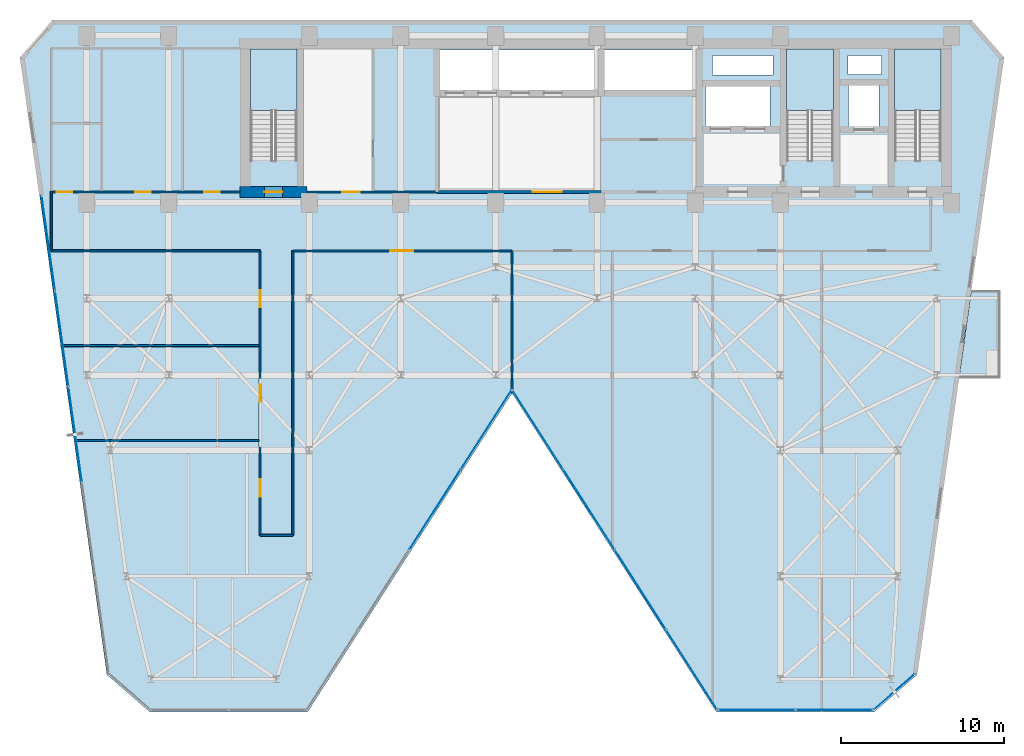
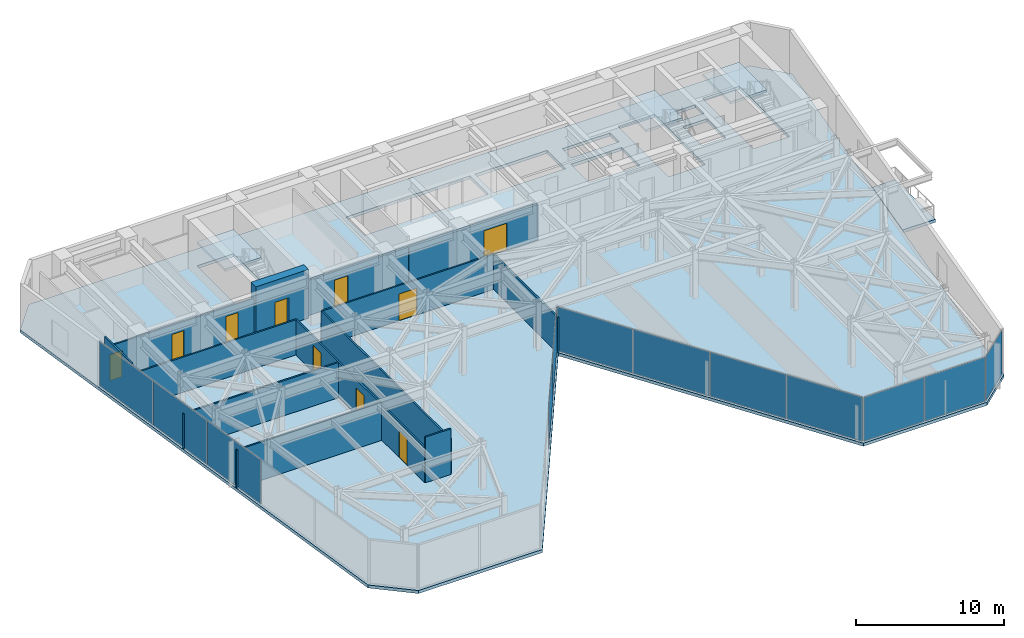
# One storey, part 21 of 26: 13 walls, 12 plates, 10 doors, 5 slabs, 10 openings, 8 elements without a shape of their own.
"""IFC4 building model written with IfcOpenShell, lengths in metres."""

from ifc_helpers import new_model, si_unit, direction, frame, frame_2d, origin, origin_2d, place, context, subcontext, project, spatial, polyline, rectangle, outline, extrude, material, layer, layer_set, type_object, element, fill, aggregate, save


model = new_model("IFC4")

# Units and contexts
model_context = context("Model", 3, precision=1e-05, world=origin(), true_north=direction((0.0, 1.0)))
body_context = subcontext(model_context, "Body", "Model", "MODEL_VIEW")
ifc_project = project(units=[si_unit("LENGTHUNIT", "METRE"), si_unit("AREAUNIT", "SQUARE_METRE"), si_unit("VOLUMEUNIT", "CUBIC_METRE"), si_unit("PLANEANGLEUNIT", "RADIAN"), si_unit("MASSUNIT", "GRAM", prefix="KILO")], contexts=[model_context])

# Site, building, storey
site_placement = place(None, origin())
site = spatial("IfcSite", under=ifc_project, at=site_placement, CompositionType="ELEMENT")
building_placement = place(site_placement, origin())
building = spatial("IfcBuilding", under=site, at=building_placement, Name="Kravanh Interchange Tower", CompositionType="ELEMENT")
storey_placement = place(building_placement, frame((0.0, 0.0, 140.0)))
storey = spatial("IfcBuildingStorey", under=building, at=storey_placement, Name="L33", CompositionType="ELEMENT", Elevation=140.0)

# Slab
ifc_material_1 = material(Name="Concrete C50/60", Category="concrete")
ifc_layer_1 = layer(ifc_material_1, 0.25)
ifc_layer_set_1 = layer_set([ifc_layer_1], Name="Composite Floor Slab Concrete C50/60 250mm")
slab_type_1 = type_object("IfcSlabType", Name="Composite Floor Slab Concrete C50/60 250mm", PredefinedType="FLOOR", material=ifc_layer_set_1)
slab_1_placement = place(storey_placement, frame((0.0, 0.0, -0.25)))
element("IfcSlab", 1, at=slab_1_placement, inside=storey, type_object=slab_type_1, Name="L33 Structural Floor Slab", PredefinedType="FLOOR", context=body_context, shape_type="SweptSolid", body=[
    extrude(outline(polyline([(14.82470703125, 8.4775390625), (17.44482421875, 6.199951171875), (27.10009765625, 6.199951171875), (39.60009765625, 25.699951171875), (52.10009765625, 6.199951171875), (61.755126953125, 6.199951171875), (64.375244140625, 8.4775390625), (69.679931640625, 46.222412109375), (67.699951171875, 48.5), (11.5, 48.5), (9.52001953125, 46.222412109375), (14.82470703125, 8.4775390625)]), holes=[polyline([(65.85009765625, 39.925048828125), (65.85009765625, 46.75), (63.0, 46.75), (63.0, 39.925048828125), (65.85009765625, 39.925048828125)]), polyline([(59.25, 39.925048828125), (59.25, 46.75), (56.39990234375, 46.75), (56.39990234375, 39.925048828125), (59.25, 39.925048828125)]), polyline([(26.449951171875, 39.925048828125), (26.449951171875, 46.75), (23.60009765625, 46.75), (23.60009765625, 39.925048828125), (26.449951171875, 39.925048828125)]), polyline([(35.179931640625, 44.219970703125), (44.840087890625, 44.219970703125), (44.840087890625, 46.699951171875), (35.179931640625, 46.699951171875), (35.179931640625, 44.219970703125)]), polyline([(45.239990234375, 44.219970703125), (50.840087890625, 44.219970703125), (50.840087890625, 46.699951171875), (45.239990234375, 46.699951171875), (45.239990234375, 44.219970703125)]), polyline([(51.419921875, 42.02001953125), (55.3798828125, 42.02001953125), (55.3798828125, 44.47998046875), (51.419921875, 44.47998046875), (51.419921875, 42.02001953125)]), polyline([(60.179931640625, 41.97998046875), (62.06005859375, 41.97998046875), (62.06005859375, 44.52001953125), (60.179931640625, 44.52001953125), (60.179931640625, 41.97998046875)]), polyline([(60.14990234375, 45.199951171875), (62.199951171875, 45.199951171875), (62.199951171875, 46.35009765625), (60.14990234375, 46.35009765625), (60.14990234375, 45.199951171875)]), polyline([(51.85009765625, 45.14990234375), (55.550048828125, 45.14990234375), (55.550048828125, 46.35009765625), (51.85009765625, 46.35009765625), (51.85009765625, 45.14990234375)])]), origin(), (0.0, 0.0, 1.0), 0.25),
])

# Stair, slab
ifc_material_2 = material(Name="Concrete C50/60", Category="concrete")
stair_type = type_object("IfcStairType", Name="Core Fire Exit Dogleg Stair Concrete C50/60", PredefinedType="HALF_TURN_STAIR", material=ifc_material_2)
stair_1_placement = place(storey_placement, origin())
stair_1 = element("IfcStair", 2, at=stair_1_placement, inside=storey, type_object=stair_type, Name="L33 Exit Stair ST1", PredefinedType="HALF_TURN_STAIR")
ifc_material_3 = material(Name="Concrete C50/60", Category="concrete")
ifc_layer_2 = layer(ifc_material_3, 0.199951171875)
ifc_layer_set_2 = layer_set([ifc_layer_2], Name="Concrete C50/60 Stair Half-Landing Slab 200mm")
slab_type_2 = type_object("IfcSlabType", Name="Concrete C50/60 Stair Half-Landing Slab 200mm", PredefinedType="LANDING", material=ifc_layer_set_2)
slab_2_placement = place(storey_placement, frame((0.0, 0.0, 1.800048828125)))
slab_2 = element("IfcSlab", 3, at=slab_2_placement, type_object=slab_type_2, Name="ST1 landing 1", PredefinedType="LANDING", context=body_context, shape_type="SweptSolid", body=[
    extrude(outline(polyline([(65.85009765625, 42.97998046875), (65.85009765625, 46.75), (63.0, 46.75), (63.0, 42.97998046875), (65.85009765625, 42.97998046875)])), origin(), (0.0, 0.0, 1.0), 0.199951171875),
])
aggregate(stair_1, [slab_2])

stair_2_placement = place(storey_placement, origin())
stair_2 = element("IfcStair", 4, at=stair_2_placement, inside=storey, type_object=stair_type, Name="L33 Exit Stair ST2", PredefinedType="HALF_TURN_STAIR")
slab_3_placement = place(storey_placement, frame((0.0, 0.0, 1.800048828125)))
slab_3 = element("IfcSlab", 5, at=slab_3_placement, type_object=slab_type_2, Name="ST2 landing 1", PredefinedType="LANDING", context=body_context, shape_type="SweptSolid", body=[
    extrude(outline(polyline([(59.25, 42.97998046875), (59.25, 46.75), (56.39990234375, 46.75), (56.39990234375, 42.97998046875), (59.25, 42.97998046875)])), origin(), (0.0, 0.0, 1.0), 0.199951171875),
])
aggregate(stair_2, [slab_3])

stair_3_placement = place(storey_placement, origin())
stair_3 = element("IfcStair", 6, at=stair_3_placement, inside=storey, type_object=stair_type, Name="L33 Exit Stair ST3", PredefinedType="HALF_TURN_STAIR")
slab_4_placement = place(storey_placement, frame((0.0, 0.0, 1.800048828125)))
slab_4 = element("IfcSlab", 7, at=slab_4_placement, type_object=slab_type_2, Name="ST3 landing 1", PredefinedType="LANDING", context=body_context, shape_type="SweptSolid", body=[
    extrude(outline(polyline([(26.449951171875, 42.97998046875), (26.449951171875, 46.75), (23.60009765625, 46.75), (23.60009765625, 42.97998046875), (26.449951171875, 42.97998046875)])), origin(), (0.0, 0.0, 1.0), 0.199951171875),
])
aggregate(stair_3, [slab_4])

# Slab
ifc_material_4 = material(Name="Concrete C50/60", Category="concrete")
ifc_layer_3 = layer(ifc_material_4, 0.199951171875)
ifc_layer_set_3 = layer_set([ifc_layer_3], Name="Planted Tree Balcony Slab Concrete C50/60 200mm")
slab_type_3 = type_object("IfcSlabType", Name="Planted Tree Balcony Slab Concrete C50/60 200mm", PredefinedType="USERDEFINED", material=ifc_layer_set_3)
slab_5_placement = place(storey_placement, frame((0.0, 0.0, -0.25)))
element("IfcSlab", 8, at=slab_5_placement, inside=storey, type_object=slab_type_3, Name="L33 East Tree Planter Balcony Slab", ObjectType="BALCONY", PredefinedType="USERDEFINED", context=body_context, shape_type="SweptSolid", body=[
    extrude(outline(polyline([(69.489990234375, 31.989990234375), (69.489990234375, 26.590087890625), (66.935791015625, 26.590087890625), (67.69482421875, 31.989990234375), (69.489990234375, 31.989990234375)])), origin(), (0.0, 0.0, 1.0), 0.25),
])

# Curtain wall, plates
ifc_material_5 = material(Name="Anodised Bronze Aluminium", Category="aluminium")
ifc_layer_4 = layer(ifc_material_5, 0.179931640625)
ifc_layer_set_4 = layer_set([ifc_layer_4], Name="Unitised Curtain Wall System CW-Z2 Mid Office")
curtain_wall_type = type_object("IfcCurtainWallType", Name="Unitised Curtain Wall System CW-Z2 Mid Office", PredefinedType="NOTDEFINED", material=ifc_layer_set_4)
curtain_wall_1_placement = place(storey_placement, origin())
curtain_wall_1 = element("IfcCurtainWall", 9, at=curtain_wall_1_placement, inside=storey, type_object=curtain_wall_type, Name="L33 Unitised Curtain Wall CW-L33-01", PredefinedType="NOTDEFINED")
ifc_material_6 = material(Name="Low-E Laminated Architectural Glass", Category="glass")
ifc_layer_5 = layer(ifc_material_6, 0.02587890625)
ifc_layer_set_5 = layer_set([ifc_layer_5], Name="Solar-Control Double Glazing 26mm")
plate_type = type_object("IfcPlateType", Name="Solar-Control Double Glazing 26mm", PredefinedType="CURTAIN_PANEL", material=ifc_layer_set_5)
plate_1_placement = place(storey_placement, frame((12.881103515625, 23.16943359375, 0.06005859375), z_axis=(0.0, 0.0, 1.0), x_axis=(-0.13917285118, 0.990268103846, 0.0)))
plate_1 = element("IfcPlate", 10, at=plate_1_placement, type_object=plate_type, Name="CW-Z2 panel 3.1", PredefinedType="CURTAIN_PANEL", context=body_context, shape_type="SweptSolid", body=[
    extrude(rectangle(XDim=5.849853515625, YDim=0.02587890625, at=origin_2d()), origin(), (0.0, 0.0, 1.0), 3.6298828125),
])
plate_2_placement = place(storey_placement, frame((12.058837890625, 29.021728515625, 0.06005859375), z_axis=(0.0, 0.0, 1.0), x_axis=(-0.13917285118, 0.990268103846, 0.0)))
plate_2 = element("IfcPlate", 11, at=plate_2_placement, type_object=plate_type, Name="CW-Z2 panel 4.1", PredefinedType="CURTAIN_PANEL", context=body_context, shape_type="SweptSolid", body=[
    extrude(rectangle(XDim=5.849853515625, YDim=0.02587890625, at=origin_2d()), origin(), (0.0, 0.0, 1.0), 3.6298828125),
])
plate_3_placement = place(storey_placement, frame((11.23828125, 34.859130859375, 0.06005859375), z_axis=(0.0, 0.0, 1.0), x_axis=(-0.13917285118, 0.990268103846, 0.0)))
plate_3 = element("IfcPlate", 12, at=plate_3_placement, type_object=plate_type, Name="CW-Z2 panel 5.1", PredefinedType="CURTAIN_PANEL", context=body_context, shape_type="SweptSolid", body=[
    extrude(rectangle(XDim=5.81982421875, YDim=0.02587890625, at=origin_2d()), origin(), (0.0, 0.0, 1.0), 3.6298828125),
])
aggregate(curtain_wall_1, [plate_1, plate_2, plate_3])

# Curtain wall, plate
curtain_wall_2_placement = place(storey_placement, origin())
curtain_wall_2 = element("IfcCurtainWall", 13, at=curtain_wall_2_placement, inside=storey, type_object=curtain_wall_type, Name="L33 Unitised Curtain Wall CW-L33-02", PredefinedType="NOTDEFINED")
plate_4_placement = place(storey_placement, frame((62.986328125, 7.429443359375, 0.06005859375), z_axis=(0.0, 0.0, 1.0), x_axis=(-0.754719458103, -0.656047665617, 0.0)))
plate_4 = element("IfcPlate", 14, at=plate_4_placement, type_object=plate_type, Name="CW-Z2 panel 1.1", PredefinedType="CURTAIN_PANEL", context=body_context, shape_type="SweptSolid", body=[
    extrude(rectangle(XDim=3.261962890625, YDim=0.02587890625, at=origin_2d()), origin(), (0.0, 0.0, 1.0), 3.6298828125),
])
aggregate(curtain_wall_2, [plate_4])

# Curtain wall, plates
curtain_wall_3_placement = place(storey_placement, origin())
curtain_wall_3 = element("IfcCurtainWall", 15, at=curtain_wall_3_placement, inside=storey, type_object=curtain_wall_type, Name="L33 Unitised Curtain Wall CW-L33-03", PredefinedType="NOTDEFINED")
plate_5_placement = place(storey_placement, frame((59.30908203125, 6.320068359375, 0.06005859375), z_axis=(0.0, 0.0, 1.0), x_axis=(-1.0, 0.0, 0.0)))
plate_5 = element("IfcPlate", 16, at=plate_5_placement, type_object=plate_type, Name="CW-Z2 panel 1.1", PredefinedType="CURTAIN_PANEL", context=body_context, shape_type="SweptSolid", body=[
    extrude(rectangle(XDim=4.682373046875, YDim=0.02587890625, at=origin_2d()), origin(), (0.0, 0.0, 1.0), 3.6298828125),
])
plate_6_placement = place(storey_placement, frame((54.566650390625, 6.320068359375, 0.06005859375), z_axis=(0.0, 0.0, 1.0), x_axis=(-1.0, 0.0, 0.0)))
plate_6 = element("IfcPlate", 17, at=plate_6_placement, type_object=plate_type, Name="CW-Z2 panel 2.1", PredefinedType="CURTAIN_PANEL", context=body_context, shape_type="SweptSolid", body=[
    extrude(rectangle(XDim=4.682373046875, YDim=0.02587890625, at=origin_2d()), origin(), (0.0, 0.0, 1.0), 3.6298828125),
])
aggregate(curtain_wall_3, [plate_5, plate_6])

curtain_wall_4_placement = place(storey_placement, origin())
curtain_wall_4 = element("IfcCurtainWall", 18, at=curtain_wall_4_placement, inside=storey, type_object=curtain_wall_type, Name="L33 Unitised Curtain Wall CW-L33-04", PredefinedType="NOTDEFINED")
plate_7_placement = place(storey_placement, frame((50.5869140625, 8.782958984375, 0.06005859375), z_axis=(0.0, 0.0, 1.0), x_axis=(-0.539664865919, 0.841879939476, 0.0)))
plate_7 = element("IfcPlate", 19, at=plate_7_placement, type_object=plate_type, Name="CW-Z2 panel 1.1", PredefinedType="CURTAIN_PANEL", context=body_context, shape_type="SweptSolid", body=[
    extrude(rectangle(XDim=5.73095703125, YDim=0.02587890625, at=origin_2d()), origin(), (0.0, 0.0, 1.0), 3.6298828125),
])
plate_8_placement = place(storey_placement, frame((47.45361328125, 13.6708984375, 0.06005859375), z_axis=(0.0, 0.0, 1.0), x_axis=(-0.539664865919, 0.841879939476, 0.0)))
plate_8 = element("IfcPlate", 20, at=plate_8_placement, type_object=plate_type, Name="CW-Z2 panel 2.1", PredefinedType="CURTAIN_PANEL", context=body_context, shape_type="SweptSolid", body=[
    extrude(rectangle(XDim=5.760986328125, YDim=0.02587890625, at=origin_2d()), origin(), (0.0, 0.0, 1.0), 3.6298828125),
])
plate_9_placement = place(storey_placement, frame((44.31201171875, 18.571533203125, 0.06005859375), z_axis=(0.0, 0.0, 1.0), x_axis=(-0.539664865919, 0.841879939476, 0.0)))
plate_9 = element("IfcPlate", 21, at=plate_9_placement, type_object=plate_type, Name="CW-Z2 panel 3.1", PredefinedType="CURTAIN_PANEL", context=body_context, shape_type="SweptSolid", body=[
    extrude(rectangle(XDim=5.760986328125, YDim=0.02587890625, at=origin_2d()), origin(), (0.0, 0.0, 1.0), 3.6298828125),
])
plate_10_placement = place(storey_placement, frame((41.1787109375, 23.45947265625, 0.06005859375), z_axis=(0.0, 0.0, 1.0), x_axis=(-0.539664865919, 0.841879939476, 0.0)))
plate_10 = element("IfcPlate", 22, at=plate_10_placement, type_object=plate_type, Name="CW-Z2 panel 4.1", PredefinedType="CURTAIN_PANEL", context=body_context, shape_type="SweptSolid", body=[
    extrude(rectangle(XDim=5.73095703125, YDim=0.02587890625, at=origin_2d()), origin(), (0.0, 0.0, 1.0), 3.6298828125),
])
aggregate(curtain_wall_4, [plate_7, plate_8, plate_9, plate_10])

curtain_wall_5_placement = place(storey_placement, origin())
curtain_wall_5 = element("IfcCurtainWall", 23, at=curtain_wall_5_placement, inside=storey, type_object=curtain_wall_type, Name="L33 Unitised Curtain Wall CW-L33-05", PredefinedType="NOTDEFINED")
plate_11_placement = place(storey_placement, frame((38.021240234375, 23.45947265625, 0.06005859375), z_axis=(0.0, 0.0, 1.0), x_axis=(-0.539664865919, -0.841879939476, 0.0)))
plate_11 = element("IfcPlate", 24, at=plate_11_placement, type_object=plate_type, Name="CW-Z2 panel 1.1", PredefinedType="CURTAIN_PANEL", context=body_context, shape_type="SweptSolid", body=[
    extrude(rectangle(XDim=5.73095703125, YDim=0.02587890625, at=origin_2d()), origin(), (0.0, 0.0, 1.0), 3.6298828125),
])
plate_12_placement = place(storey_placement, frame((34.887939453125, 18.571533203125, 0.06005859375), z_axis=(0.0, 0.0, 1.0), x_axis=(-0.539664865919, -0.841879939476, 0.0)))
plate_12 = element("IfcPlate", 25, at=plate_12_placement, type_object=plate_type, Name="CW-Z2 panel 2.1", PredefinedType="CURTAIN_PANEL", context=body_context, shape_type="SweptSolid", body=[
    extrude(rectangle(XDim=5.760986328125, YDim=0.02587890625, at=origin_2d()), origin(), (0.0, 0.0, 1.0), 3.6298828125),
])
aggregate(curtain_wall_5, [plate_11, plate_12])

# Wall, openings, doors
ifc_material_7 = material(Name="Double Acoustic Gypsum Board and Mineral Wool")
ifc_layer_6 = layer(ifc_material_7, 0.1201171875)
ifc_layer_set_6 = layer_set([ifc_layer_6], Name="Acoustic Office Drywall Partition 120mm")
wall_type_1 = type_object("IfcWallType", Name="Acoustic Office Drywall Partition 120mm", PredefinedType="PARTITIONING", material=ifc_layer_set_6)
wall_1_placement = place(storey_placement, frame((11.419921875, 38.0, 0.0), z_axis=(0.0, 0.0, 1.0), x_axis=(1.0, 0.0, 0.0)))
wall_1 = element("IfcWall", 26, at=wall_1_placement, inside=storey, type_object=wall_type_1, Name="L33 Restroom Corridor Wall 7", PredefinedType="PARTITIONING", context=body_context, shape_type="SweptSolid", body=[
    extrude(rectangle(XDim=11.530029296875, YDim=0.1201171875, at=frame_2d((5.76513671875, 0.0))), origin(), (0.0, 0.0, 1.0), 2.89404296875),
])
opening_1_placement = place(wall_1_placement, frame((0.3427734375, 0.0, 0.0)))
opening_1 = element("IfcOpeningElement", 27, at=opening_1_placement, cuts=wall_1, Name="Opening D-95", PredefinedType="OPENING", context=body_context, shape_type="SweptSolid", body=[
    extrude(rectangle(XDim=0.949951171875, YDim=2.14990234375, at=frame_2d((0.47509765625, 1.074951171875))), frame((0.0, 0.070068359375, 0.0), z_axis=(0.0, -1.0, 0.0), x_axis=(1.0, 0.0, 0.0)), (0.0, 0.0, 1.0), 0.14013671875),
])
opening_2_placement = place(wall_1_placement, frame((5.130126953125, 0.0, 0.0)))
opening_2 = element("IfcOpeningElement", 28, at=opening_2_placement, cuts=wall_1, Name="Opening D-95", PredefinedType="OPENING", context=body_context, shape_type="SweptSolid", body=[
    extrude(rectangle(XDim=0.949951171875, YDim=2.14990234375, at=frame_2d((0.47509765625, 1.074951171875))), frame((0.0, 0.070068359375, 0.0), z_axis=(0.0, -1.0, 0.0), x_axis=(1.0, 0.0, 0.0)), (0.0, 0.0, 1.0), 0.14013671875),
])
opening_3_placement = place(wall_1_placement, frame((9.344970703125, 0.0, 0.0)))
opening_3 = element("IfcOpeningElement", 29, at=opening_3_placement, cuts=wall_1, Name="Opening D-95", PredefinedType="OPENING", context=body_context, shape_type="SweptSolid", body=[
    extrude(rectangle(XDim=0.949951171875, YDim=2.14990234375, at=frame_2d((0.47509765625, 1.074951171875))), frame((0.0, 0.070068359375, 0.0), z_axis=(0.0, -1.0, 0.0), x_axis=(1.0, 0.0, 0.0)), (0.0, 0.0, 1.0), 0.14013671875),
])
ifc_material_8 = material(Name="Laminate Solid-Core Timber", Category="wood")
door_type_1 = type_object("IfcDoorType", Name="Accessible Restroom Door 950x2150", OperationType="NOTDEFINED", PredefinedType="DOOR", material=ifc_material_8)
door_1_placement = place(opening_1_placement, origin())
door_1 = element("IfcDoor", 30, at=door_1_placement, inside=storey, type_object=door_type_1, Name="L33 Accessible WC Door", OperationType="SINGLE_SWING_RIGHT", OverallHeight=2.14990234375, OverallWidth=0.949951171875, PredefinedType="DOOR", context=body_context, shape_type="SweptSolid", body=[
    extrude(rectangle(XDim=0.949951171875, YDim=2.14990234375, at=frame_2d((0.47509765625, 1.074951171875))), frame((0.0, 0.02490234375, 0.0), z_axis=(0.0, -1.0, 0.0), x_axis=(1.0, 0.0, 0.0)), (0.0, 0.0, 1.0), 0.050048828125),
])
fill(opening_1, door_1)
door_2_placement = place(opening_2_placement, origin())
door_2 = element("IfcDoor", 31, at=door_2_placement, inside=storey, type_object=door_type_1, Name="L33 Female WC Door", OperationType="SINGLE_SWING_LEFT", OverallHeight=2.14990234375, OverallWidth=0.949951171875, PredefinedType="DOOR", context=body_context, shape_type="SweptSolid", body=[
    extrude(rectangle(XDim=0.949951171875, YDim=2.14990234375, at=frame_2d((0.47509765625, 1.074951171875))), frame((0.0, 0.02490234375, 0.0), z_axis=(0.0, -1.0, 0.0), x_axis=(1.0, 0.0, 0.0)), (0.0, 0.0, 1.0), 0.050048828125),
])
fill(opening_2, door_2)
door_3_placement = place(opening_3_placement, origin())
door_3 = element("IfcDoor", 32, at=door_3_placement, inside=storey, type_object=door_type_1, Name="L33 Male WC Door", OperationType="SINGLE_SWING_RIGHT", OverallHeight=2.14990234375, OverallWidth=0.949951171875, PredefinedType="DOOR", context=body_context, shape_type="SweptSolid", body=[
    extrude(rectangle(XDim=0.949951171875, YDim=2.14990234375, at=frame_2d((0.47509765625, 1.074951171875))), frame((0.0, 0.02490234375, 0.0), z_axis=(0.0, -1.0, 0.0), x_axis=(1.0, 0.0, 0.0)), (0.0, 0.0, 1.0), 0.050048828125),
])
fill(opening_3, door_3)

# Wall
wall_2_placement = place(storey_placement, frame((11.419921875, 34.39990234375, 0.0), z_axis=(0.0, 0.0, 1.0), x_axis=(1.0, 0.0, 0.0)))
element("IfcWall", 33, at=wall_2_placement, inside=storey, type_object=wall_type_1, Name="L33 Interior Partition 13", PredefinedType="PARTITIONING", context=body_context, shape_type="SweptSolid", body=[
    extrude(rectangle(XDim=12.780029296875, YDim=0.1201171875, at=frame_2d((6.39013671875, 0.0))), origin(), (0.0, 0.0, 1.0), 2.89404296875),
])

# Wall, opening, door
wall_3_placement = place(storey_placement, frame((26.199951171875, 34.39990234375, 0.0), z_axis=(0.0, 0.0, 1.0), x_axis=(1.0, 0.0, 0.0)))
wall_3 = element("IfcWall", 34, at=wall_3_placement, inside=storey, type_object=wall_type_1, Name="L33 Interior Partition 14", PredefinedType="PARTITIONING", context=body_context, shape_type="SweptSolid", body=[
    extrude(rectangle(XDim=13.400146484375, YDim=0.1201171875, at=frame_2d((6.7001953125, 0.0))), origin(), (0.0, 0.0, 1.0), 2.89404296875),
])
opening_4_placement = place(wall_3_placement, frame((5.959716796875, 0.0, 0.0)))
opening_4 = element("IfcOpeningElement", 35, at=opening_4_placement, cuts=wall_3, Name="Opening DBL-140", PredefinedType="OPENING", context=body_context, shape_type="SweptSolid", body=[
    extrude(rectangle(XDim=1.39990234375, YDim=2.199951171875, at=frame_2d((0.699951171875, 1.10009765625))), frame((0.0, 0.070068359375, 0.0), z_axis=(0.0, -1.0, 0.0), x_axis=(1.0, 0.0, 0.0)), (0.0, 0.0, 1.0), 0.14013671875),
])
ifc_material_9 = material(Name="Acoustic Bronze-Framed Glass", Category="glass")
door_type_2 = type_object("IfcDoorType", Name="Hospitality Lounge Double Door 1400x2200", OperationType="DOUBLE_DOOR_SINGLE_SWING", PredefinedType="DOOR", material=ifc_material_9)
door_4_placement = place(opening_4_placement, origin())
door_4 = element("IfcDoor", 36, at=door_4_placement, inside=storey, type_object=door_type_2, Name="L33 Central Townhall Commons Lounge Door", OperationType="DOUBLE_DOOR_SINGLE_SWING", OverallHeight=2.199951171875, OverallWidth=1.39990234375, PredefinedType="DOOR", context=body_context, shape_type="SweptSolid", body=[
    extrude(rectangle(XDim=1.39990234375, YDim=2.199951171875, at=frame_2d((0.699951171875, 1.10009765625))), frame((0.0, 0.02490234375, 0.0), z_axis=(0.0, -1.0, 0.0), x_axis=(1.0, 0.0, 0.0)), (0.0, 0.0, 1.0), 0.050048828125),
])
fill(opening_4, door_4)

# Wall
wall_4_placement = place(storey_placement, frame((11.419921875, 34.39990234375, 0.0), z_axis=(0.0, 0.0, 1.0), x_axis=(0.0, 1.0, 0.0)))
element("IfcWall", 37, at=wall_4_placement, inside=storey, type_object=wall_type_1, Name="L33 Interior Partition 16", PredefinedType="PARTITIONING", context=body_context, shape_type="SweptSolid", body=[
    extrude(rectangle(XDim=3.650146484375, YDim=0.1201171875, at=frame_2d((1.8251953125, 0.0))), origin(), (0.0, 0.0, 1.0), 3.75),
])

# Wall, openings, doors
wall_5_placement = place(storey_placement, frame((24.199951171875, 17.0, 0.0), z_axis=(0.0, 0.0, 1.0), x_axis=(0.0, 1.0, 0.0)))
wall_5 = element("IfcWall", 38, at=wall_5_placement, inside=storey, type_object=wall_type_1, Name="L33 Interior Partition 18", PredefinedType="PARTITIONING", context=body_context, shape_type="SweptSolid", body=[
    extrude(rectangle(XDim=17.39990234375, YDim=0.1201171875, at=frame_2d((8.699951171875, 0.0))), origin(), (0.0, 0.0, 1.0), 2.89404296875),
])
opening_5_placement = place(wall_5_placement, frame((2.375, 0.0, 0.0)))
opening_5 = element("IfcOpeningElement", 39, at=opening_5_placement, cuts=wall_5, Name="Opening D-105", PredefinedType="OPENING", context=body_context, shape_type="SweptSolid", body=[
    extrude(rectangle(XDim=1.050048828125, YDim=2.199951171875, at=frame_2d((0.52490234375, 1.10009765625))), frame((0.0, 0.070068359375, 0.0), z_axis=(0.0, -1.0, 0.0), x_axis=(1.0, 0.0, 0.0)), (0.0, 0.0, 1.0), 0.14013671875),
])
opening_6_placement = place(wall_5_placement, frame((8.175048828125, 0.0, 0.0)))
opening_6 = element("IfcOpeningElement", 40, at=opening_6_placement, cuts=wall_5, Name="Opening D-105", PredefinedType="OPENING", context=body_context, shape_type="SweptSolid", body=[
    extrude(rectangle(XDim=1.050048828125, YDim=2.199951171875, at=frame_2d((0.52490234375, 1.10009765625))), frame((0.0, 0.070068359375, 0.0), z_axis=(0.0, -1.0, 0.0), x_axis=(1.0, 0.0, 0.0)), (0.0, 0.0, 1.0), 0.14013671875),
])
opening_7_placement = place(wall_5_placement, frame((13.949951171875, 0.0, 0.0)))
opening_7 = element("IfcOpeningElement", 41, at=opening_7_placement, cuts=wall_5, Name="Opening D-105", PredefinedType="OPENING", context=body_context, shape_type="SweptSolid", body=[
    extrude(rectangle(XDim=1.050048828125, YDim=2.199951171875, at=frame_2d((0.52490234375, 1.10009765625))), frame((0.0, 0.070068359375, 0.0), z_axis=(0.0, -1.0, 0.0), x_axis=(1.0, 0.0, 0.0)), (0.0, 0.0, 1.0), 0.14013671875),
])
ifc_material_10 = material(Name="Acoustic Glazed Oak and Aluminium", Category="aluminium")
door_type_3 = type_object("IfcDoorType", Name="Office Workplace Door 1050x2200", OperationType="NOTDEFINED", PredefinedType="DOOR", material=ifc_material_10)
door_5_placement = place(opening_5_placement, origin())
door_5 = element("IfcDoor", 42, at=door_5_placement, inside=storey, type_object=door_type_3, Name="L33 SW Partner Office D Door", OperationType="SINGLE_SWING_LEFT", OverallHeight=2.199951171875, OverallWidth=1.050048828125, PredefinedType="DOOR", context=body_context, shape_type="SweptSolid", body=[
    extrude(rectangle(XDim=1.050048828125, YDim=2.199951171875, at=frame_2d((0.52490234375, 1.10009765625))), frame((0.0, 0.02490234375, 0.0), z_axis=(0.0, -1.0, 0.0), x_axis=(1.0, 0.0, 0.0)), (0.0, 0.0, 1.0), 0.050048828125),
])
fill(opening_5, door_5)
door_6_placement = place(opening_6_placement, origin())
door_6 = element("IfcDoor", 43, at=door_6_placement, inside=storey, type_object=door_type_3, Name="L33 West Breakout Lounge Door", OperationType="SINGLE_SWING_RIGHT", OverallHeight=2.199951171875, OverallWidth=1.050048828125, PredefinedType="DOOR", context=body_context, shape_type="SweptSolid", body=[
    extrude(rectangle(XDim=1.050048828125, YDim=2.199951171875, at=frame_2d((0.52490234375, 1.10009765625))), frame((0.0, 0.02490234375, 0.0), z_axis=(0.0, -1.0, 0.0), x_axis=(1.0, 0.0, 0.0)), (0.0, 0.0, 1.0), 0.050048828125),
])
fill(opening_6, door_6)
door_7_placement = place(opening_7_placement, origin())
door_7 = element("IfcDoor", 44, at=door_7_placement, inside=storey, type_object=door_type_3, Name="L33 Tea Kitchenette Door", OperationType="SINGLE_SWING_LEFT", OverallHeight=2.199951171875, OverallWidth=1.050048828125, PredefinedType="DOOR", context=body_context, shape_type="SweptSolid", body=[
    extrude(rectangle(XDim=1.050048828125, YDim=2.199951171875, at=frame_2d((0.52490234375, 1.10009765625))), frame((0.0, 0.02490234375, 0.0), z_axis=(0.0, -1.0, 0.0), x_axis=(1.0, 0.0, 0.0)), (0.0, 0.0, 1.0), 0.050048828125),
])
fill(opening_7, door_7)

# Walls
wall_6_placement = place(storey_placement, frame((26.199951171875, 17.0, 0.0), z_axis=(0.0, 0.0, 1.0), x_axis=(0.0, 1.0, 0.0)))
element("IfcWall", 45, at=wall_6_placement, inside=storey, type_object=wall_type_1, Name="L33 Interior Partition 19", PredefinedType="PARTITIONING", context=body_context, shape_type="SweptSolid", body=[
    extrude(rectangle(XDim=17.39990234375, YDim=0.1201171875, at=frame_2d((8.699951171875, 0.0))), origin(), (0.0, 0.0, 1.0), 2.89404296875),
])
wall_7_placement = place(storey_placement, frame((24.199951171875, 17.0, 0.0), z_axis=(0.0, 0.0, 1.0), x_axis=(1.0, 0.0, 0.0)))
element("IfcWall", 46, at=wall_7_placement, inside=storey, type_object=wall_type_1, Name="L33 Interior Partition 20", PredefinedType="PARTITIONING", context=body_context, shape_type="SweptSolid", body=[
    extrude(rectangle(XDim=2.0, YDim=0.1201171875, at=frame_2d((1.0, 0.0))), origin(), (0.0, 0.0, 1.0), 3.75),
])
wall_8_placement = place(storey_placement, frame((12.8271484375, 22.800048828125, 0.0), z_axis=(0.0, 0.0, 1.0), x_axis=(1.0, 0.0, 0.0)))
element("IfcWall", 47, at=wall_8_placement, inside=storey, type_object=wall_type_1, Name="L33 Interior Partition 21", PredefinedType="PARTITIONING", context=body_context, shape_type="SweptSolid", body=[
    extrude(rectangle(XDim=11.304931640625, YDim=0.1201171875, at=frame_2d((5.65234375, 0.0))), origin(), (0.0, 0.0, 1.0), 3.14208984375),
])
wall_9_placement = place(storey_placement, frame((12.011962890625, 28.60009765625, 0.0), z_axis=(0.0, 0.0, 1.0), x_axis=(1.0, 0.0, 0.0)))
element("IfcWall", 48, at=wall_9_placement, inside=storey, type_object=wall_type_1, Name="L33 Interior Partition 22", PredefinedType="PARTITIONING", context=body_context, shape_type="SweptSolid", body=[
    extrude(rectangle(XDim=12.1201171875, YDim=0.1201171875, at=frame_2d((6.06005859375, 0.0))), origin(), (0.0, 0.0, 1.0), 2.89404296875),
])
wall_10_placement = place(storey_placement, frame((39.60009765625, 25.727783203125, 0.0), z_axis=(0.0, 0.0, 1.0), x_axis=(0.0, 1.0, 0.0)))
element("IfcWall", 49, at=wall_10_placement, inside=storey, type_object=wall_type_1, Name="L33 Interior Partition 23", PredefinedType="PARTITIONING", context=body_context, shape_type="SweptSolid", body=[
    extrude(rectangle(XDim=8.672119140625, YDim=0.1201171875, at=frame_2d((4.3359375, 0.0))), origin(), (0.0, 0.0, 1.0), 2.89404296875),
])

# Wall, opening, door
ifc_material_11 = material(Name="Concrete C70/85", Category="concrete")
ifc_layer_7 = layer(ifc_material_11, 0.64990234375)
ifc_layer_set_7 = layer_set([ifc_layer_7], Name="Core Shear Wall Concrete C70/85 650mm")
wall_type_2 = type_object("IfcWallType", Name="Core Shear Wall Concrete C70/85 650mm", PredefinedType="SHEAR", material=ifc_layer_set_7)
wall_11_placement = place(storey_placement, frame((22.949951171875, 38.0, 0.0), z_axis=(0.0, 0.0, 1.0), x_axis=(1.0, 0.0, 0.0)))
wall_11 = element("IfcWall", 50, at=wall_11_placement, inside=storey, type_object=wall_type_2, Name="L33 Stair ST3 South Shear Wall", PredefinedType="SHEAR", context=body_context, shape_type="SweptSolid", body=[
    extrude(rectangle(XDim=4.10009765625, YDim=0.64990234375, at=frame_2d((2.050048828125, 0.0))), origin(), (0.0, 0.0, 1.0), 4.0),
])
opening_8_placement = place(wall_11_placement, frame((1.5, 0.0, 0.0)))
opening_8 = element("IfcOpeningElement", 51, at=opening_8_placement, cuts=wall_11, Name="Opening D-STAIR-110", PredefinedType="OPENING", context=body_context, shape_type="SweptSolid", body=[
    extrude(rectangle(XDim=1.10009765625, YDim=2.199951171875, at=frame_2d((0.550048828125, 1.10009765625))), frame((0.0, 0.3349609375, 0.0), z_axis=(0.0, -1.0, 0.0), x_axis=(1.0, 0.0, 0.0)), (0.0, 0.0, 1.0), 0.669921875),
])
ifc_material_12 = material(Name="Structural Steel S355", Category="steel")
door_type_4 = type_object("IfcDoorType", Name="Fire-Rated Exit Stair Door 1100x2200", OperationType="NOTDEFINED", PredefinedType="DOOR", material=ifc_material_12)
door_8_placement = place(opening_8_placement, origin())
door_8 = element("IfcDoor", 52, at=door_8_placement, inside=storey, type_object=door_type_4, Name="L33 Exit Stair ST3 Door", OperationType="SINGLE_SWING_RIGHT", OverallHeight=2.199951171875, OverallWidth=1.10009765625, PredefinedType="DOOR", context=body_context, shape_type="SweptSolid", body=[
    extrude(rectangle(XDim=1.10009765625, YDim=2.199951171875, at=frame_2d((0.550048828125, 1.10009765625))), frame((0.0, 0.02490234375, 0.0), z_axis=(0.0, -1.0, 0.0), x_axis=(1.0, 0.0, 0.0)), (0.0, 0.0, 1.0), 0.050048828125),
])
fill(opening_8, door_8)

ifc_material_13 = material(Name="Autoclaved Aerated Concrete C30/37 Blockwork", Category="masonry")
ifc_layer_8 = layer(ifc_material_13, 0.179931640625)
ifc_layer_set_8 = layer_set([ifc_layer_8], Name="Fire-Rated Lobby and Corridor Wall Concrete C30/37 180mm")
wall_type_3 = type_object("IfcWallType", Name="Fire-Rated Lobby and Corridor Wall Concrete C30/37 180mm", PredefinedType="STANDARD", material=ifc_layer_set_8)
wall_12_placement = place(storey_placement, frame((35.0, 38.0, 0.0), z_axis=(0.0, 0.0, 1.0), x_axis=(1.0, 0.0, 0.0)))
wall_12 = element("IfcWall", 53, at=wall_12_placement, inside=storey, type_object=wall_type_3, Name="L33 Interior Partition 6", PredefinedType="STANDARD", context=body_context, shape_type="SweptSolid", body=[
    extrude(rectangle(XDim=10.050048828125, YDim=0.179931640625, at=frame_2d((5.02490234375, 0.0))), origin(), (0.0, 0.0, 1.0), 2.89404296875),
])
opening_9_placement = place(wall_12_placement, frame((5.85791015625, 0.0, 0.0)))
opening_9 = element("IfcOpeningElement", 54, at=opening_9_placement, cuts=wall_12, Name="Opening DBL-180", PredefinedType="OPENING", context=body_context, shape_type="SweptSolid", body=[
    extrude(rectangle(XDim=1.800048828125, YDim=2.199951171875, at=frame_2d((0.89990234375, 1.10009765625))), frame((0.0, 0.10009765625, 0.0), z_axis=(0.0, -1.0, 0.0), x_axis=(1.0, 0.0, 0.0)), (0.0, 0.0, 1.0), 0.199951171875),
])
ifc_material_14 = material(Name="Structural Steel S355", Category="steel")
door_type_5 = type_object("IfcDoorType", Name="Lift Lobby Double Fire Door 1800x2200", OperationType="DOUBLE_DOOR_SINGLE_SWING", PredefinedType="DOOR", material=ifc_material_14)
door_9_placement = place(opening_9_placement, origin())
door_9 = element("IfcDoor", 55, at=door_9_placement, inside=storey, type_object=door_type_5, Name="L33 Mid-Rise Lift Lobby Door", OperationType="DOUBLE_DOOR_SINGLE_SWING", OverallHeight=2.199951171875, OverallWidth=1.800048828125, PredefinedType="DOOR", context=body_context, shape_type="SweptSolid", body=[
    extrude(rectangle(XDim=1.800048828125, YDim=2.199951171875, at=frame_2d((0.89990234375, 1.10009765625))), frame((0.0, 0.02490234375, 0.0), z_axis=(0.0, -1.0, 0.0), x_axis=(1.0, 0.0, 0.0)), (0.0, 0.0, 1.0), 0.050048828125),
])
fill(opening_9, door_9)

ifc_material_15 = material(Name="Twin Stud Acoustic Gypsum Board Wall")
ifc_layer_9 = layer(ifc_material_15, 0.14990234375)
ifc_layer_set_9 = layer_set([ifc_layer_9], Name="Medium-Duty Acoustic Partition 150mm")
wall_type_4 = type_object("IfcWallType", Name="Medium-Duty Acoustic Partition 150mm", PredefinedType="PARTITIONING", material=ifc_layer_set_9)
wall_13_placement = place(storey_placement, frame((27.050048828125, 38.0, 0.0), z_axis=(0.0, 0.0, 1.0), x_axis=(1.0, 0.0, 0.0)))
wall_13 = element("IfcWall", 56, at=wall_13_placement, inside=storey, type_object=wall_type_4, Name="L33 Interior Partition 3", PredefinedType="PARTITIONING", context=body_context, shape_type="SweptSolid", body=[
    extrude(rectangle(XDim=7.949951171875, YDim=0.14990234375, at=frame_2d((3.97509765625, 0.0))), origin(), (0.0, 0.0, 1.0), 2.89404296875),
])
opening_10_placement = place(wall_13_placement, frame((2.175048828125, 0.0, 0.0)))
opening_10 = element("IfcOpeningElement", 57, at=opening_10_placement, cuts=wall_13, Name="Opening D-105", PredefinedType="OPENING", context=body_context, shape_type="SweptSolid", body=[
    extrude(rectangle(XDim=1.050048828125, YDim=2.199951171875, at=frame_2d((0.52490234375, 1.10009765625))), frame((0.0, 0.0849609375, 0.0), z_axis=(0.0, -1.0, 0.0), x_axis=(1.0, 0.0, 0.0)), (0.0, 0.0, 1.0), 0.169921875),
])
door_10_placement = place(opening_10_placement, origin())
door_10 = element("IfcDoor", 58, at=door_10_placement, inside=storey, type_object=door_type_3, Name="L33 Reclaimed IT Hub Door", OperationType="SINGLE_SWING_RIGHT", OverallHeight=2.199951171875, OverallWidth=1.050048828125, PredefinedType="DOOR", context=body_context, shape_type="SweptSolid", body=[
    extrude(rectangle(XDim=1.050048828125, YDim=2.199951171875, at=frame_2d((0.52490234375, 1.10009765625))), frame((0.0, 0.02490234375, 0.0), z_axis=(0.0, -1.0, 0.0), x_axis=(1.0, 0.0, 0.0)), (0.0, 0.0, 1.0), 0.050048828125),
])
fill(opening_10, door_10)

save(model, "model.ifc")
